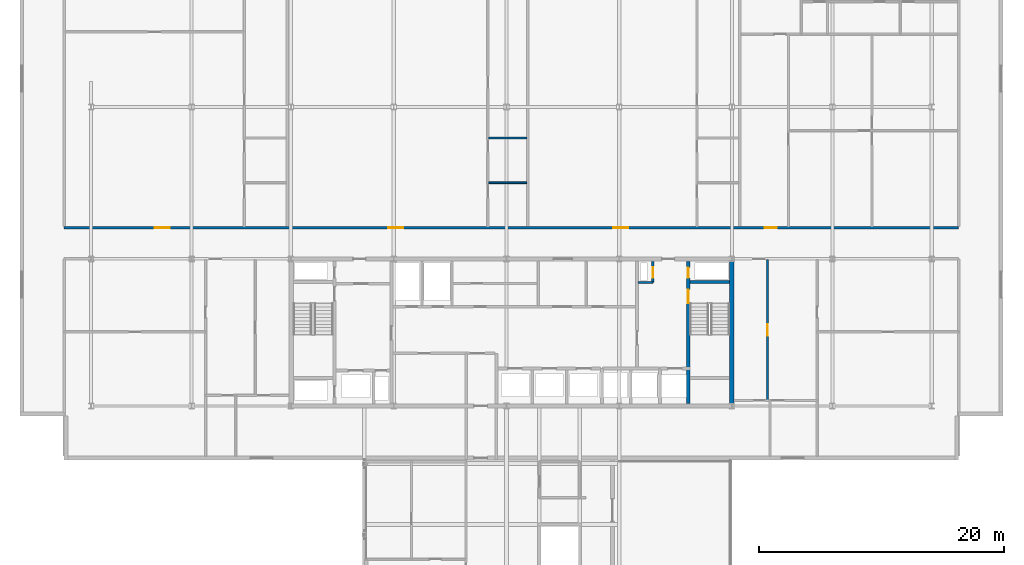
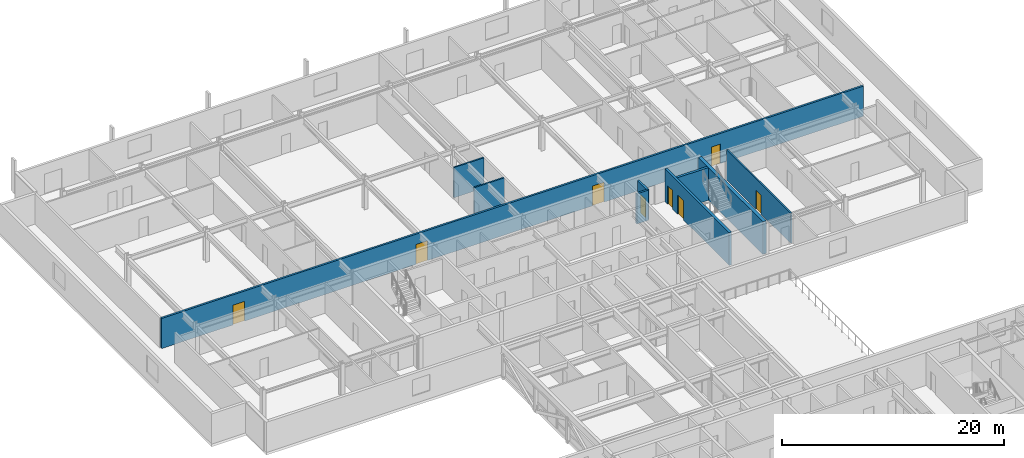
# One storey, part 19 of 28: 9 walls, 8 doors, 8 openings.
"""IFC4 building model written with IfcOpenShell, lengths in metres."""

from ifc_helpers import new_model, si_unit, direction, frame, frame_2d, origin, place, context, subcontext, project, spatial, rectangle, extrude, material, layer, layer_set, type_object, element, fill, save


model = new_model("IFC4")

# Units and contexts
model_context = context("Model", 3, precision=1e-05, world=origin(), true_north=direction((0.0, 1.0)))
body_context = subcontext(model_context, "Body", "Model", "MODEL_VIEW")
ifc_project = project(units=[si_unit("LENGTHUNIT", "METRE"), si_unit("AREAUNIT", "SQUARE_METRE"), si_unit("VOLUMEUNIT", "CUBIC_METRE"), si_unit("PLANEANGLEUNIT", "RADIAN"), si_unit("MASSUNIT", "GRAM", prefix="KILO")], contexts=[model_context])

# Site, building, storey
site_placement = place(None, origin())
site = spatial("IfcSite", under=ifc_project, at=site_placement, CompositionType="ELEMENT")
building_placement = place(site_placement, origin())
building = spatial("IfcBuilding", under=site, at=building_placement, Name="Korimba Cascade Residences", CompositionType="ELEMENT")
storey_placement = place(building_placement, frame((0.0, 0.0, 153.699951171875)))
storey = spatial("IfcBuildingStorey", under=building, at=storey_placement, Name="L44", CompositionType="ELEMENT", Elevation=153.699951171875)

# Wall
ifc_material_1 = material(Name="Concrete C65/80", Category="concrete")
ifc_layer_1 = layer(ifc_material_1, 0.35009765625)
ifc_layer_set_1 = layer_set([ifc_layer_1], Name="Concrete C65/80")
wall_type_1 = type_object("IfcWallType", Name="WAL-CORE-350", PredefinedType="SHEAR", material=ifc_layer_set_1)
wall_1_placement = place(storey_placement, frame((112.074951171875, 55.375, 0.0), z_axis=(0.0, 0.0, 1.0), x_axis=(0.0, 1.0, 0.0)))
element("IfcWall", 1, at=wall_1_placement, inside=storey, type_object=wall_type_1, Name="L44 Core Shear Wall CW-L44-T1-E", PredefinedType="SHEAR", context=body_context, shape_type="SweptSolid", body=[
    extrude(rectangle(XDim=11.64990234375, YDim=0.35009765625, at=frame_2d((5.824951171875, 0.0))), origin(), (0.0, 0.0, 1.0), 3.60009765625),
])

# Wall, openings, doors
ifc_material_2 = material(Name="Precast concrete C40/50", Category="concrete")
ifc_layer_2 = layer(ifc_material_2, 0.199951171875)
ifc_layer_set_2 = layer_set([ifc_layer_2], Name="Precast concrete C40/50")
wall_type_2 = type_object("IfcWallType", Name="WAL-IT-200", PredefinedType="PARTITIONING", material=ifc_layer_set_2)
wall_2_placement = place(storey_placement, frame((57.60009765625, 69.75, 0.0), z_axis=(0.0, 0.0, 1.0), x_axis=(1.0, 0.0, 0.0)))
wall_2 = element("IfcWall", 2, at=wall_2_placement, inside=storey, type_object=wall_type_2, Name="L44 Partition Wall WAL-L44-T1-CORN", PredefinedType="PARTITIONING", context=body_context, shape_type="SweptSolid", body=[
    extrude(rectangle(XDim=73.0, YDim=0.199951171875, at=frame_2d((36.5, 0.0))), origin(), (0.0, 0.0, 1.0), 3.320068359375),
])
opening_1_placement = place(wall_2_placement, frame((7.416259765625, 0.0, 0.0)))
opening_1 = element("IfcOpeningElement", 3, at=opening_1_placement, cuts=wall_2, Name="Opening D-AM1", PredefinedType="OPENING", context=body_context, shape_type="SweptSolid", body=[
    extrude(rectangle(XDim=1.219970703125, YDim=2.179931640625, at=frame_2d((0.60986328125, 1.08984375))), frame((0.0, 0.10986328125, 0.0), z_axis=(0.0, -1.0, 0.0), x_axis=(1.0, 0.0, 0.0)), (0.0, 0.0, 1.0), 0.219970703125),
])
opening_2_placement = place(wall_2_placement, frame((26.456298828125, 0.0, 0.0)))
opening_2 = element("IfcOpeningElement", 4, at=opening_2_placement, cuts=wall_2, Name="Opening D-AM1", PredefinedType="OPENING", context=body_context, shape_type="SweptSolid", body=[
    extrude(rectangle(XDim=1.219970703125, YDim=2.179931640625, at=frame_2d((0.60986328125, 1.08984375))), frame((0.0, 0.10986328125, 0.0), z_axis=(0.0, -1.0, 0.0), x_axis=(1.0, 0.0, 0.0)), (0.0, 0.0, 1.0), 0.219970703125),
])
opening_3_placement = place(wall_2_placement, frame((44.81005859375, 0.0, 0.0)))
opening_3 = element("IfcOpeningElement", 5, at=opening_3_placement, cuts=wall_2, Name="Opening D-AM1", PredefinedType="OPENING", context=body_context, shape_type="SweptSolid", body=[
    extrude(rectangle(XDim=1.219970703125, YDim=2.179931640625, at=frame_2d((0.60986328125, 1.08984375))), frame((0.0, 0.10986328125, 0.0), z_axis=(0.0, -1.0, 0.0), x_axis=(1.0, 0.0, 0.0)), (0.0, 0.0, 1.0), 0.219970703125),
])
opening_4_placement = place(wall_2_placement, frame((57.195068359375, 0.0, 0.0)))
opening_4 = element("IfcOpeningElement", 6, at=opening_4_placement, cuts=wall_2, Name="Opening D-UN1", PredefinedType="OPENING", context=body_context, shape_type="SweptSolid", body=[
    extrude(rectangle(XDim=0.949951171875, YDim=2.14990234375, at=frame_2d((0.47509765625, 1.074951171875))), frame((0.0, 0.10986328125, 0.0), z_axis=(0.0, -1.0, 0.0), x_axis=(1.0, 0.0, 0.0)), (0.0, 0.0, 1.0), 0.219970703125),
])
ifc_material_3 = material(Name="Fire-Rated Glazed Timber Suite Door", Category="wood")
door_type_1 = type_object("IfcDoorType", Name="DR-FD60-1200", OperationType="NOTDEFINED", PredefinedType="DOOR", material=ifc_material_3)
door_1_placement = place(opening_1_placement, origin())
door_1 = element("IfcDoor", 7, at=door_1_placement, inside=storey, type_object=door_type_1, Name="L44-T1-U01 Health Consultation Clinic Door", OperationType="SINGLE_SWING_LEFT", OverallHeight=2.179931640625, OverallWidth=1.219970703125, PredefinedType="DOOR", context=body_context, shape_type="SweptSolid", body=[
    extrude(rectangle(XDim=1.219970703125, YDim=2.179931640625, at=frame_2d((0.60986328125, 1.08984375))), frame((0.0, 0.02490234375, 0.0), z_axis=(0.0, -1.0, 0.0), x_axis=(1.0, 0.0, 0.0)), (0.0, 0.0, 1.0), 0.050048828125),
])
fill(opening_1, door_1)
door_2_placement = place(opening_2_placement, origin())
door_2 = element("IfcDoor", 8, at=door_2_placement, inside=storey, type_object=door_type_1, Name="L44-T1-U02 Architecture Reading Library Door", OperationType="SINGLE_SWING_RIGHT", OverallHeight=2.179931640625, OverallWidth=1.219970703125, PredefinedType="DOOR", context=body_context, shape_type="SweptSolid", body=[
    extrude(rectangle(XDim=1.219970703125, YDim=2.179931640625, at=frame_2d((0.60986328125, 1.08984375))), frame((0.0, 0.02490234375, 0.0), z_axis=(0.0, -1.0, 0.0), x_axis=(1.0, 0.0, 0.0)), (0.0, 0.0, 1.0), 0.050048828125),
])
fill(opening_2, door_2)
door_3_placement = place(opening_3_placement, origin())
door_3 = element("IfcDoor", 9, at=door_3_placement, inside=storey, type_object=door_type_1, Name="L44-T1-U03 Transfer Reception Foyer Door", OperationType="SINGLE_SWING_LEFT", OverallHeight=2.179931640625, OverallWidth=1.219970703125, PredefinedType="DOOR", context=body_context, shape_type="SweptSolid", body=[
    extrude(rectangle(XDim=1.219970703125, YDim=2.179931640625, at=frame_2d((0.60986328125, 1.08984375))), frame((0.0, 0.02490234375, 0.0), z_axis=(0.0, -1.0, 0.0), x_axis=(1.0, 0.0, 0.0)), (0.0, 0.0, 1.0), 0.050048828125),
])
fill(opening_3, door_3)
ifc_material_4 = material(Name="Fire-Rated Hardwood Apartment Entrance Door", Category="wood")
door_type_2 = type_object("IfcDoorType", Name="DR-FD60-950", OperationType="NOTDEFINED", PredefinedType="DOOR", material=ifc_material_4)
door_4_placement = place(opening_4_placement, origin())
door_4 = element("IfcDoor", 10, at=door_4_placement, inside=storey, type_object=door_type_2, Name="Unit L44-T1-U04 Entrance Door", OperationType="SINGLE_SWING_RIGHT", OverallHeight=2.14990234375, OverallWidth=0.949951171875, PredefinedType="DOOR", context=body_context, shape_type="SweptSolid", body=[
    extrude(rectangle(XDim=0.949951171875, YDim=2.14990234375, at=frame_2d((0.47509765625, 1.074951171875))), frame((0.0, 0.02490234375, 0.0), z_axis=(0.0, -1.0, 0.0), x_axis=(1.0, 0.0, 0.0)), (0.0, 0.0, 1.0), 0.050048828125),
])
fill(opening_4, door_4)

# Wall, opening, door
ifc_material_5 = material(Name="Insulated Acoustic Stud Partition", Category="gypsum")
ifc_layer_3 = layer(ifc_material_5, 0.14990234375)
ifc_layer_set_3 = layer_set([ifc_layer_3], Name="Insulated Acoustic Stud Partition")
wall_type_3 = type_object("IfcWallType", Name="WAL-PART-150", PredefinedType="PARTITIONING", material=ifc_layer_set_3)
wall_3_placement = place(storey_placement, frame((115.0, 55.64990234375, 0.0), z_axis=(0.0, 0.0, 1.0), x_axis=(0.0, 1.0, 0.0)))
wall_3 = element("IfcWall", 11, at=wall_3_placement, inside=storey, type_object=wall_type_3, Name="L44 Partition Wall WAL-L44-T1-FE-VN", PredefinedType="PARTITIONING", context=body_context, shape_type="SweptSolid", body=[
    extrude(rectangle(XDim=11.5, YDim=0.14990234375, at=frame_2d((5.75, 0.0))), origin(), (0.0, 0.0, 1.0), 3.320068359375),
])
opening_5_placement = place(wall_3_placement, frame((5.2900390625, 0.0, 0.0)))
opening_5 = element("IfcOpeningElement", 12, at=opening_5_placement, cuts=wall_3, Name="Opening D-IN1", PredefinedType="OPENING", context=body_context, shape_type="SweptSolid", body=[
    extrude(rectangle(XDim=0.919921875, YDim=2.080078125, at=frame_2d((0.4599609375, 1.0400390625))), frame((0.0, 0.0849609375, 0.0), z_axis=(0.0, -1.0, 0.0), x_axis=(1.0, 0.0, 0.0)), (0.0, 0.0, 1.0), 0.169921875),
])
ifc_material_6 = material(Name="Acoustic Timber Living Door", Category="wood")
door_type_3 = type_object("IfcDoorType", Name="DR-INT-920", OperationType="NOTDEFINED", PredefinedType="DOOR", material=ifc_material_6)
door_5_placement = place(opening_5_placement, origin())
door_5 = element("IfcDoor", 13, at=door_5_placement, inside=storey, type_object=door_type_3, Name="L44-T1-FE Living Door", OperationType="SINGLE_SWING_RIGHT", OverallHeight=2.080078125, OverallWidth=0.919921875, PredefinedType="DOOR", context=body_context, shape_type="SweptSolid", body=[
    extrude(rectangle(XDim=0.919921875, YDim=2.080078125, at=frame_2d((0.4599609375, 1.0400390625))), frame((0.0, 0.02490234375, 0.0), z_axis=(0.0, -1.0, 0.0), x_axis=(1.0, 0.0, 0.0)), (0.0, 0.0, 1.0), 0.050048828125),
])
fill(opening_5, door_5)

# Walls
for number, where, z_axis, x_axis, name in (
    (14, (92.239990234375, 73.419921875, 0.0), (0.0, 0.0, 1.0), (1.0, 0.0, 0.0), "L44 Partition Wall WAL-L44-T1-U02-WCH"),
    (15, (92.239990234375, 77.070068359375, 0.0), (0.0, 0.0, 1.0), (1.0, 0.0, 0.0), "L44 Partition Wall WAL-L44-T1-U02-WCH2"),
):
    element("IfcWall", number, at=place(storey_placement, frame(where, z_axis=z_axis, x_axis=x_axis)), inside=storey, type_object=wall_type_3, Name=name, PredefinedType="PARTITIONING", context=body_context, shape_type="SweptSolid", body=[
        extrude(rectangle(XDim=3.130126953125, YDim=0.14990234375, at=frame_2d((1.56494140625, 0.0))), origin(), (0.0, 0.0, 1.0), 3.320068359375),
    ])
ifc_material_7 = material(Name="Concrete C40/50", Category="concrete")
ifc_layer_4 = layer(ifc_material_7, 0.199951171875)
ifc_layer_set_4 = layer_set([ifc_layer_4], Name="Concrete C40/50")
wall_type_4 = type_object("IfcWallType", Name="WAL-PART-200", PredefinedType="PARTITIONING", material=ifc_layer_set_4)
wall_4_placement = place(storey_placement, frame((104.449951171875, 65.280029296875, 0.0), z_axis=(0.0, 0.0, 1.0), x_axis=(1.0, 0.0, 0.0)))
element("IfcWall", 16, at=wall_4_placement, inside=storey, type_object=wall_type_4, Name="L44 Partition Wall CW-L44-T1-HYDW2S", PredefinedType="PARTITIONING", context=body_context, shape_type="SweptSolid", body=[
    extrude(rectangle(XDim=1.199951171875, YDim=0.199951171875, at=frame_2d((0.60009765625, 0.0))), origin(), (0.0, 0.0, 1.0), 3.320068359375),
])

# Wall, opening, door
wall_5_placement = place(storey_placement, frame((105.64990234375, 65.280029296875, 0.0), z_axis=(0.0, 0.0, 1.0), x_axis=(0.0, 1.0, 0.0)))
wall_5 = element("IfcWall", 17, at=wall_5_placement, inside=storey, type_object=wall_type_4, Name="L44 Partition Wall CW-L44-T1-HYDW2E", PredefinedType="PARTITIONING", context=body_context, shape_type="SweptSolid", body=[
    extrude(rectangle(XDim=1.719970703125, YDim=0.199951171875, at=frame_2d((0.85986328125, 0.0))), origin(), (0.0, 0.0, 1.0), 3.320068359375),
])
opening_6_placement = place(wall_5_placement, frame((0.39990234375, 0.0, 0.0)))
opening_6 = element("IfcOpeningElement", 18, at=opening_6_placement, cuts=wall_5, Name="Opening D-RS1", PredefinedType="OPENING", context=body_context, shape_type="SweptSolid", body=[
    extrude(rectangle(XDim=0.85009765625, YDim=2.050048828125, at=frame_2d((0.425048828125, 1.02490234375))), frame((0.0, 0.10986328125, 0.0), z_axis=(0.0, -1.0, 0.0), x_axis=(1.0, 0.0, 0.0)), (0.0, 0.0, 1.0), 0.219970703125),
])
ifc_material_8 = material(Name="Fire-Rated Steel Riser Access Door", Category="steel")
door_type_4 = type_object("IfcDoorType", Name="DR-FD60-850", OperationType="NOTDEFINED", PredefinedType="DOOR", material=ifc_material_8)
door_6_placement = place(opening_6_placement, origin())
door_6 = element("IfcDoor", 19, at=door_6_placement, inside=storey, type_object=door_type_4, Name="L44 East Hydrant Door", OperationType="SINGLE_SWING_RIGHT", OverallHeight=2.050048828125, OverallWidth=0.85009765625, PredefinedType="DOOR", context=body_context, shape_type="SweptSolid", body=[
    extrude(rectangle(XDim=0.85009765625, YDim=2.050048828125, at=frame_2d((0.425048828125, 1.02490234375))), frame((0.0, 0.02490234375, 0.0), z_axis=(0.0, -1.0, 0.0), x_axis=(1.0, 0.0, 0.0)), (0.0, 0.0, 1.0), 0.050048828125),
])
fill(opening_6, door_6)

# Wall, openings, doors
ifc_material_9 = material(Name="Concrete C50/60", Category="concrete")
ifc_layer_5 = layer(ifc_material_9, 0.25)
ifc_layer_set_5 = layer_set([ifc_layer_5], Name="Concrete C50/60")
wall_type_5 = type_object("IfcWallType", Name="WAL-SHAFT-250", PredefinedType="SHEAR", material=ifc_layer_set_5)
wall_6_placement = place(storey_placement, frame((108.534912109375, 55.39990234375, 0.0), z_axis=(0.0, 0.0, 1.0), x_axis=(0.0, 1.0, 0.0)))
wall_6 = element("IfcWall", 20, at=wall_6_placement, inside=storey, type_object=wall_type_5, Name="L44 Core Shear Wall CW-L44-T1-STW2W", PredefinedType="SHEAR", context=body_context, shape_type="SweptSolid", body=[
    extrude(rectangle(XDim=11.60009765625, YDim=0.25, at=frame_2d((5.800048828125, 0.0))), origin(), (0.0, 0.0, 1.0), 3.60009765625),
])
opening_7_placement = place(wall_6_placement, frame((8.199951171875, 0.0, 0.0)))
opening_7 = element("IfcOpeningElement", 21, at=opening_7_placement, cuts=wall_6, Name="Opening D-FD1", PredefinedType="OPENING", context=body_context, shape_type="SweptSolid", body=[
    extrude(rectangle(XDim=1.10009765625, YDim=2.10009765625, at=frame_2d((0.550048828125, 1.050048828125))), frame((0.0, 0.135009765625, 0.0), z_axis=(0.0, -1.0, 0.0), x_axis=(1.0, 0.0, 0.0)), (0.0, 0.0, 1.0), 0.27001953125),
])
opening_8_placement = place(wall_6_placement, frame((10.25, 0.0, 0.0)))
opening_8 = element("IfcOpeningElement", 22, at=opening_8_placement, cuts=wall_6, Name="Opening D-RS1", PredefinedType="OPENING", context=body_context, shape_type="SweptSolid", body=[
    extrude(rectangle(XDim=0.85009765625, YDim=2.050048828125, at=frame_2d((0.425048828125, 1.02490234375))), frame((0.0, 0.135009765625, 0.0), z_axis=(0.0, -1.0, 0.0), x_axis=(1.0, 0.0, 0.0)), (0.0, 0.0, 1.0), 0.27001953125),
])
ifc_material_10 = material(Name="Fire-Rated Steel Core Door", Category="steel")
door_type_5 = type_object("IfcDoorType", Name="DR-FD120-1100", OperationType="NOTDEFINED", PredefinedType="DOOR", material=ifc_material_10)
door_7_placement = place(opening_7_placement, origin())
door_7 = element("IfcDoor", 23, at=door_7_placement, inside=storey, type_object=door_type_5, Name="L44 Fire Stair ST-W2 Door", OperationType="SINGLE_SWING_RIGHT", OverallHeight=2.10009765625, OverallWidth=1.10009765625, PredefinedType="DOOR", context=body_context, shape_type="SweptSolid", body=[
    extrude(rectangle(XDim=1.10009765625, YDim=2.10009765625, at=frame_2d((0.550048828125, 1.050048828125))), frame((0.0, 0.02490234375, 0.0), z_axis=(0.0, -1.0, 0.0), x_axis=(1.0, 0.0, 0.0)), (0.0, 0.0, 1.0), 0.050048828125),
])
fill(opening_7, door_7)
door_8_placement = place(opening_8_placement, origin())
door_8 = element("IfcDoor", 24, at=door_8_placement, inside=storey, type_object=door_type_4, Name="L44 East Riser Door", OperationType="SINGLE_SWING_LEFT", OverallHeight=2.050048828125, OverallWidth=0.85009765625, PredefinedType="DOOR", context=body_context, shape_type="SweptSolid", body=[
    extrude(rectangle(XDim=0.85009765625, YDim=2.050048828125, at=frame_2d((0.425048828125, 1.02490234375))), frame((0.0, 0.02490234375, 0.0), z_axis=(0.0, -1.0, 0.0), x_axis=(1.0, 0.0, 0.0)), (0.0, 0.0, 1.0), 0.050048828125),
])
fill(opening_8, door_8)

# Wall
wall_7_placement = place(storey_placement, frame((108.659912109375, 65.324951171875, 0.0), z_axis=(0.0, 0.0, 1.0), x_axis=(1.0, 0.0, 0.0)))
element("IfcWall", 25, at=wall_7_placement, inside=storey, type_object=wall_type_5, Name="L44 Core Shear Wall CW-L44-T1-STW2N", PredefinedType="SHEAR", context=body_context, shape_type="SweptSolid", body=[
    extrude(rectangle(XDim=3.239990234375, YDim=0.25, at=frame_2d((1.6201171875, 0.0))), origin(), (0.0, 0.0, 1.0), 3.60009765625),
])

save(model, "model.ifc")
